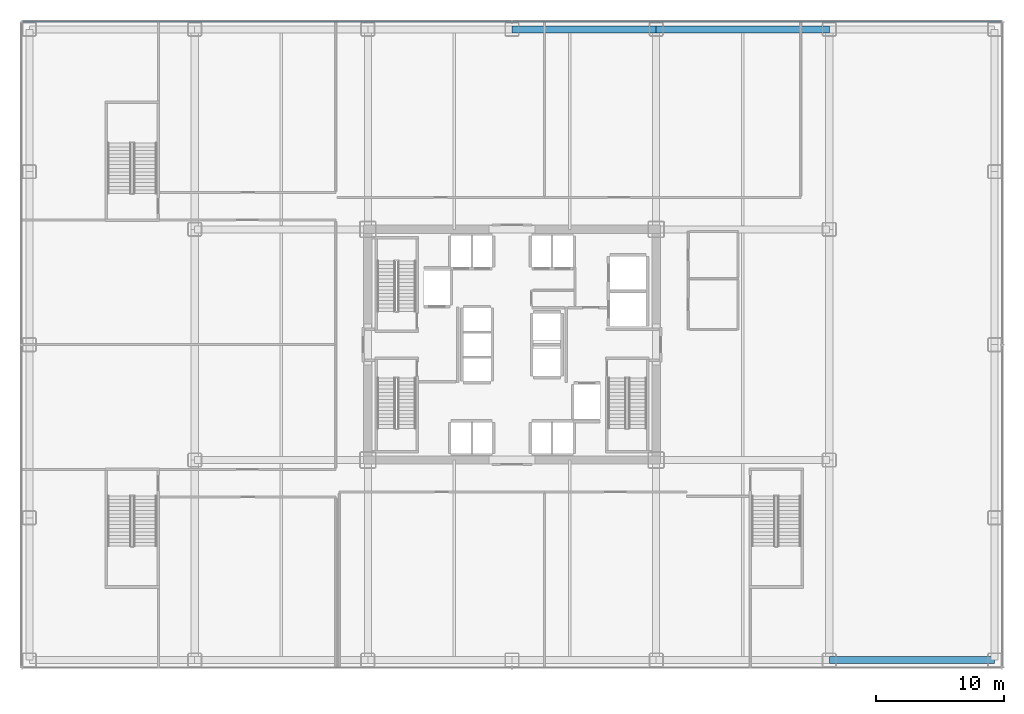
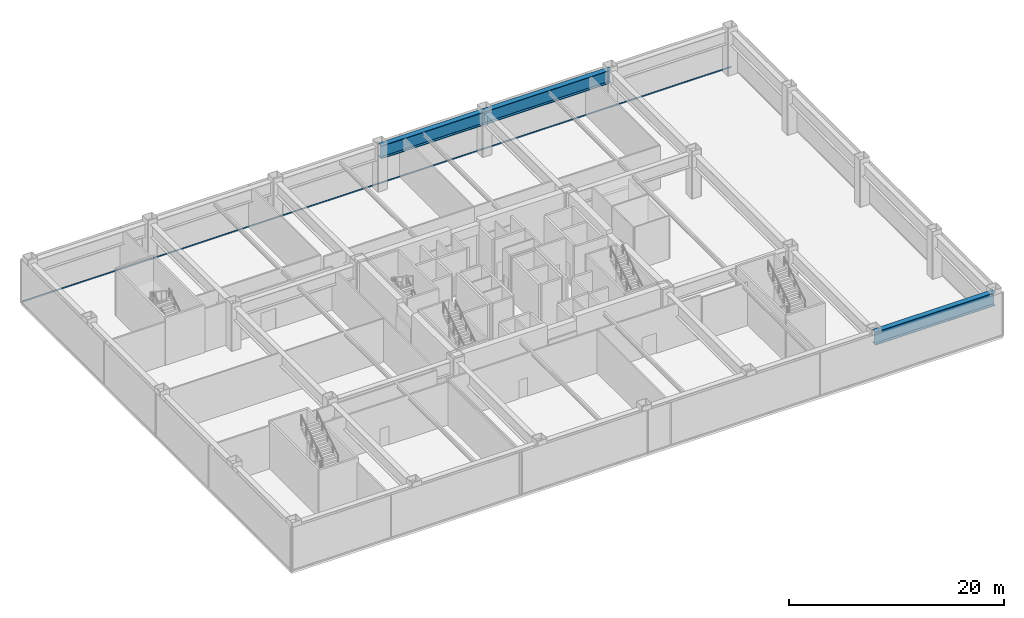
# One storey, part 11 of 24: 3 beams, 1 member, 1 element without a shape of its own.
"""IFC4 building model written with IfcOpenShell, lengths in metres."""

import ifcopenshell
import ifcopenshell.guid

model = None  # the IFC model being written
_history = None  # IfcOwnerHistory: only IFC2X3 demands one
_inside = {}  # id of a spatial element -> (the spatial element, [elements in it])
_under = {}  # id of a project, library or spatial element -> (it, [spatial elements below it])
_declared = {}  # id of a project -> (the project, [libraries it declares])
_typed = {}  # id of a type object -> (the type object, [elements of that type])
_made_of = {}  # id of a material, layer set ... -> (it, [elements and type objects made of it])


def new_model(schema):
    """Start an empty IFC model of exactly this schema.

    Asked for "IFC4X3", IfcOpenShell would pick the latest addendum, in which some entities
    have other attributes; the version numbers below select the first issue.
    IFC2X3 requires an IfcOwnerHistory on every rooted entity: one is made here for all.
    """
    global model, _history
    if schema == "IFC4X3":
        model = ifcopenshell.file(schema_version=(4, 3, 0, 0))
    else:
        model = ifcopenshell.file(schema=schema)
    _inside.clear()
    _under.clear()
    _declared.clear()
    _typed.clear()
    _made_of.clear()
    _history = None
    if model.schema == "IFC2X3":
        org = make("IfcOrganization", Name="unknown")
        user = make(
            "IfcPersonAndOrganization",
            ThePerson=make("IfcPerson", FamilyName="unknown"),
            TheOrganization=org,
        )
        app = make(
            "IfcApplication",
            ApplicationDeveloper=org,
            Version="unknown",
            ApplicationFullName="unknown",
            ApplicationIdentifier="unknown",
        )
        _history = make(
            "IfcOwnerHistory",
            OwningUser=user,
            OwningApplication=app,
            ChangeAction="ADDED",
            CreationDate=0,
        )
    return model


def make(cls, **values):
    """One entity of the class cls with the attributes given. An attribute that is None is left unset."""
    return model.create_entity(
        cls, **{name: value for name, value in values.items() if value is not None}
    )


def rooted(cls, **values):
    """An entity with a GlobalId (a new one), such as an element, a storey or a relation."""
    return make(cls, GlobalId=ifcopenshell.guid.new(), OwnerHistory=_history, **values)


def si_unit(unit_type, name, prefix=None):
    """IfcSIUnit, for example si_unit("LENGTHUNIT", "METRE", prefix="MILLI")."""
    return make("IfcSIUnit", UnitType=unit_type, Prefix=prefix, Name=name)


def assignment(units):
    """IfcUnitAssignment: the units of a project."""
    return None if units is None else make("IfcUnitAssignment", Units=units)


def point(xyz):
    """IfcCartesianPoint."""
    return None if xyz is None else make("IfcCartesianPoint", Coordinates=xyz)


def direction(xyz):
    """IfcDirection."""
    return None if xyz is None else make("IfcDirection", DirectionRatios=xyz)


def frame(location, z_axis=None, x_axis=None):
    """IfcAxis2Placement3D, a coordinate frame: its origin and axes. An axis left out is left unset."""
    return make(
        "IfcAxis2Placement3D",
        Location=point(location),
        Axis=direction(z_axis),
        RefDirection=direction(x_axis),
    )


def frame_2d(location, x_axis=None):
    """IfcAxis2Placement2D, a coordinate frame in the plane: its origin and x axis."""
    return make(
        "IfcAxis2Placement2D", Location=point(location), RefDirection=direction(x_axis)
    )


def origin():
    """The frame at (0, 0, 0) with its axes left unset."""
    return frame((0.0, 0.0, 0.0))


def origin_2d():
    """The frame at (0, 0) in the plane with its x axis left unset."""
    return frame_2d((0.0, 0.0))


def place(relative_to, where):
    """IfcLocalPlacement: puts the frame where relative to a parent placement (None: the world)."""
    return make(
        "IfcLocalPlacement", PlacementRelTo=relative_to, RelativePlacement=where
    )


def context(
    kind, dimensions, precision=None, world=None, true_north=None, identifier=None
):
    """IfcGeometricRepresentationContext, for example the 3D "Model" context."""
    return make(
        "IfcGeometricRepresentationContext",
        ContextIdentifier=identifier,
        ContextType=kind,
        CoordinateSpaceDimension=dimensions,
        Precision=precision,
        WorldCoordinateSystem=world,
        TrueNorth=true_north,
    )


def subcontext(parent, identifier, kind, view, scale=None):
    """IfcGeometricRepresentationSubContext, for example "Body" below "Model"."""
    return make(
        "IfcGeometricRepresentationSubContext",
        ContextIdentifier=identifier,
        ContextType=kind,
        ParentContext=parent,
        TargetScale=scale,
        TargetView=view,
    )


def project(units=None, contexts=None):
    """IfcProject with its units and contexts."""
    return rooted(
        "IfcProject",
        Name="project",
        RepresentationContexts=contexts,
        UnitsInContext=assignment(units),
    )


def spatial(cls, under=None, at=None, **own):
    """A site, building, storey or space (cls), placed at a placement, below another one or the project."""
    s = rooted(cls, ObjectPlacement=at, **own)
    if under is not None:
        _under.setdefault(under.id(), (under, []))[1].append(s)
    return s


def profile(cls, at=None, kind="AREA", **sizes):
    """A parametric profile (cls). Its sizes go by their IFC names, for example OverallWidth=200.0."""
    return make(cls, ProfileType=kind, Position=at, **sizes)


def hollow_rectangle(**sizes):
    """IfcRectangleHollowProfileDef."""
    return profile("IfcRectangleHollowProfileDef", **sizes)


def i_section(**sizes):
    """IfcIShapeProfileDef."""
    return profile("IfcIShapeProfileDef", **sizes)


def extrude(swept, where, along, depth):
    """IfcExtrudedAreaSolid: the profile swept, set in the frame where, extruded along a direction by depth."""
    return make(
        "IfcExtrudedAreaSolid",
        SweptArea=swept,
        Position=where,
        ExtrudedDirection=direction(along),
        Depth=depth,
    )


def shape(context_of_items, identifier, shape_type, items):
    """IfcShapeRepresentation: the items that make up one representation, for example the "Body"."""
    return make(
        "IfcShapeRepresentation",
        ContextOfItems=context_of_items,
        RepresentationIdentifier=identifier,
        RepresentationType=shape_type,
        Items=items,
    )


def source(mapping_origin, context_of_items, identifier, shape_type, items):
    """IfcRepresentationMap: a shape defined once, which mapped items show again and again."""
    return make(
        "IfcRepresentationMap",
        MappingOrigin=mapping_origin,
        MappedRepresentation=shape(context_of_items, identifier, shape_type, items),
    )


def transform(
    local_origin,
    x_axis=None,
    y_axis=None,
    z_axis=None,
    scale=None,
    scale2=None,
    scale3=None,
    uniform=True,
):
    """IfcCartesianTransformationOperator3D, or its non-uniform kind. x_axis, y_axis, z_axis: its Axis1, 2, 3."""
    if uniform:
        return make(
            "IfcCartesianTransformationOperator3D",
            Axis1=direction(x_axis),
            Axis2=direction(y_axis),
            LocalOrigin=point(local_origin),
            Scale=scale,
            Axis3=direction(z_axis),
        )
    return make(
        "IfcCartesianTransformationOperator3DnonUniform",
        Axis1=direction(x_axis),
        Axis2=direction(y_axis),
        LocalOrigin=point(local_origin),
        Scale=scale,
        Axis3=direction(z_axis),
        Scale2=scale2,
        Scale3=scale3,
    )


def mapped(mapping_source, mapping_target):
    """IfcMappedItem: shows the shape of a source again, moved by a transform."""
    return make(
        "IfcMappedItem", MappingSource=mapping_source, MappingTarget=mapping_target
    )


def material(Name=None, Category=None):
    """IfcMaterial."""
    return make("IfcMaterial", Name=Name, Category=Category)


def layer(
    of_material, thickness, ventilated=None, Name=None, Category=None, Priority=None
):
    """IfcMaterialLayer: one layer of a wall or slab, of a material (None: an air gap)."""
    return make(
        "IfcMaterialLayer",
        Material=of_material,
        LayerThickness=thickness,
        IsVentilated=ventilated,
        Name=Name,
        Category=Category,
        Priority=Priority,
    )


def layer_set(layers, Name=None):
    """IfcMaterialLayerSet."""
    return make("IfcMaterialLayerSet", MaterialLayers=layers, LayerSetName=Name)


def material_profile(
    of_material, cross_section, Name=None, Category=None, Priority=None
):
    """IfcMaterialProfile: a cross section and its material."""
    return make(
        "IfcMaterialProfile",
        Name=Name,
        Material=of_material,
        Profile=cross_section,
        Priority=Priority,
        Category=Category,
    )


def profile_set(profiles, Name=None, composite=None):
    """IfcMaterialProfileSet."""
    return make(
        "IfcMaterialProfileSet",
        Name=Name,
        MaterialProfiles=profiles,
        CompositeProfile=composite,
    )


def made_of(thing, what):
    """Note that an element or type object is made of a material, layer set ...; save() writes the relation."""
    if what is not None:
        _made_of.setdefault(what.id(), (what, []))[1].append(thing)
    return thing


def type_object(cls, material=None, **own):
    """A type object (cls), such as IfcWallType, which elements share."""
    return made_of(rooted(cls, **own), material)


def element(
    cls,
    number,
    at=None,
    inside=None,
    cuts=None,
    type_object=None,
    material=None,
    context=None,
    identifier="Body",
    shape_type=None,
    held_by="IfcProductDefinitionShape",
    body=None,
    shapes=None,
    **own,
):
    """One element of the class cls, such as IfcWall. Its Tag is "e" and its number.

    at: its placement. inside: the storey or other place that contains it. cuts: it is an
    opening in that element (IfcRelVoidsElement). A single representation is given by context,
    identifier, shape_type and body (its items); several are given by shapes. held_by: the class
    of the entity that holds the representations. save() writes the other relations.
    """
    e = rooted(cls, Tag="e%d" % number, ObjectPlacement=at, **own)
    if body is not None:
        shapes = [shape(context, identifier, shape_type, body)]
    if shapes is not None:
        e.Representation = make(held_by, Representations=shapes)
    if inside is not None:
        _inside.setdefault(inside.id(), (inside, []))[1].append(e)
    if cuts is not None:
        rooted(
            "IfcRelVoidsElement", RelatingBuildingElement=cuts, RelatedOpeningElement=e
        )
    if type_object is not None:
        _typed.setdefault(type_object.id(), (type_object, []))[1].append(e)
    return made_of(e, material)


def aggregate(whole, parts):
    """IfcRelAggregates: a whole, such as a stair, and the parts it consists of."""
    return rooted("IfcRelAggregates", RelatingObject=whole, RelatedObjects=parts)


def save(model, path):
    """Write the relations noted so far, then the file.

    IfcRelAggregates (storeys below a building ...), IfcRelContainedInSpatialStructure (elements
    in a storey), IfcRelDefinesByType, IfcRelAssociatesMaterial and IfcRelDeclares: one each for
    every whole, place, type object, material and project.
    """
    for whole, parts in _under.values():
        aggregate(whole, parts)
    for where, things in _inside.values():
        rooted(
            "IfcRelContainedInSpatialStructure",
            RelatedElements=things,
            RelatingStructure=where,
        )
    for kind, things in _typed.values():
        rooted("IfcRelDefinesByType", RelatedObjects=things, RelatingType=kind)
    for what, things in _made_of.values():
        rooted("IfcRelAssociatesMaterial", RelatedObjects=things, RelatingMaterial=what)
    for by, libraries in _declared.values():
        rooted("IfcRelDeclares", RelatingContext=by, RelatedDefinitions=libraries)
    model.write(path)


model = new_model("IFC4")

# Units and contexts
model_context = context("Model", 3, precision=1e-05, world=origin(), true_north=direction((0.0, 1.0)))
body_context = subcontext(model_context, "Body", "Model", "MODEL_VIEW")
ifc_project = project(units=[si_unit("LENGTHUNIT", "METRE"), si_unit("AREAUNIT", "SQUARE_METRE"), si_unit("VOLUMEUNIT", "CUBIC_METRE"), si_unit("PLANEANGLEUNIT", "RADIAN"), si_unit("MASSUNIT", "GRAM", prefix="KILO")], contexts=[model_context])

# Site, building, storey
site_placement = place(None, origin())
site = spatial("IfcSite", under=ifc_project, at=site_placement, CompositionType="ELEMENT")
building_placement = place(site_placement, origin())
building = spatial("IfcBuilding", under=site, at=building_placement, Name="Nefas-Gora Pilgrimage Tower", CompositionType="ELEMENT")
storey_placement = place(building_placement, frame((0.0, 0.0, 22.199951171875)))
storey = spatial("IfcBuildingStorey", under=building, at=storey_placement, Name="L04", CompositionType="ELEMENT", Elevation=22.199951171875)

# Beams
ifc_material_1 = material(Name="Steel S460", Category="steel")
ifc_material_profile_1 = material_profile(ifc_material_1, i_section(OverallWidth=0.550048828125, OverallDepth=1.5, WebThickness=0.031982421875, FlangeThickness=0.06005859375, FilletRadius=0.02392578125, at=origin_2d()), Name="WPG 1500x550x32x60")
ifc_profile_set_1 = profile_set([ifc_material_profile_1], Name="Steel S460")
beam_type = type_object("IfcBeamType", Name="BM-TR-1500E", PredefinedType="BEAM", material=ifc_profile_set_1)
shared_shape_1 = source(origin(), body_context, "Body", "SweptSolid", [
    extrude(i_section(OverallWidth=0.550048828125, OverallDepth=1.5, WebThickness=0.031982421875, FlangeThickness=0.06005859375, FilletRadius=0.02392578125, at=origin_2d()), origin(), (0.0, 0.0, 1.0), 12.89990234375),
])
beam_1_placement = place(storey_placement, frame((24.75, -24.60009765625, 4.170166015625), z_axis=(1.0, 0.0, 0.0), x_axis=(0.0, 1.0, 0.0)))
element("IfcBeam", 1, at=beam_1_placement, inside=storey, type_object=beam_type, Name="L04 TB-01E beam", PredefinedType="BEAM", context=body_context, shape_type="MappedRepresentation", body=[
    mapped(shared_shape_1, transform((0.0, 0.0, 0.0), x_axis=(1.0, 0.0, 0.0), y_axis=(0.0, 1.0, 0.0), z_axis=(0.0, 0.0, 1.0), scale=1.0)),
])
shared_shape_2 = source(origin(), body_context, "Body", "SweptSolid", [
    extrude(i_section(OverallWidth=0.550048828125, OverallDepth=1.5, WebThickness=0.031982421875, FlangeThickness=0.06005859375, FilletRadius=0.02392578125, at=origin_2d()), origin(), (0.0, 0.0, 1.0), 13.5),
])
beam_2_placement = place(storey_placement, frame((11.25, 24.60009765625, 4.170166015625), z_axis=(1.0, 0.0, 0.0), x_axis=(0.0, 1.0, 0.0)))
element("IfcBeam", 2, at=beam_2_placement, inside=storey, type_object=beam_type, Name="L04 TB-01E beam", PredefinedType="BEAM", context=body_context, shape_type="MappedRepresentation", body=[
    mapped(shared_shape_2, transform((0.0, 0.0, 0.0), x_axis=(1.0, 0.0, 0.0), y_axis=(0.0, 1.0, 0.0), z_axis=(0.0, 0.0, 1.0), scale=1.0)),
])
shared_shape_3 = source(origin(), body_context, "Body", "SweptSolid", [
    extrude(i_section(OverallWidth=0.550048828125, OverallDepth=1.5, WebThickness=0.031982421875, FlangeThickness=0.06005859375, FilletRadius=0.02392578125, at=origin_2d()), origin(), (0.0, 0.0, 1.0), 11.25),
])
beam_3_placement = place(storey_placement, frame((0.0, 24.60009765625, 4.170166015625), z_axis=(1.0, 0.0, 0.0), x_axis=(0.0, 1.0, 0.0)))
element("IfcBeam", 3, at=beam_3_placement, inside=storey, type_object=beam_type, Name="L04 TB-01E beam", PredefinedType="BEAM", context=body_context, shape_type="MappedRepresentation", body=[
    mapped(shared_shape_3, transform((0.0, 0.0, 0.0), x_axis=(1.0, 0.0, 0.0), y_axis=(0.0, 1.0, 0.0), z_axis=(0.0, 0.0, 1.0), scale=1.0)),
])

# Curtain wall, member
ifc_material_2 = material(Name="Dark ceramic-fritted solar-control aluminium-glass curtain wall", Category="aluminium")
ifc_layer = layer(ifc_material_2, 0.219970703125)
ifc_layer_set = layer_set([ifc_layer], Name="Dark ceramic-fritted solar-control aluminium-glass curtain wall")
curtain_wall_type = type_object("IfcCurtainWallType", Name="CW-SYS-1", PredefinedType="NOTDEFINED", material=ifc_layer_set)
curtain_wall_placement = place(storey_placement, origin())
curtain_wall = element("IfcCurtainWall", 4, at=curtain_wall_placement, inside=storey, type_object=curtain_wall_type, Name="L04 Unitised Curtain Wall CW1", PredefinedType="NOTDEFINED")
ifc_material_3 = material(Name="Anodised architectural aluminium", Category="aluminium")
ifc_material_profile_2 = material_profile(ifc_material_3, hollow_rectangle(XDim=0.080078125, YDim=0.159912109375, WallThickness=0.00439453125, InnerFilletRadius=0.00439453125, OuterFilletRadius=0.009033203125, at=origin_2d()), Name="ALU TRANSOM 80x160")
ifc_profile_set_2 = profile_set([ifc_material_profile_2], Name="Anodised architectural aluminium")
member_type = type_object("IfcMemberType", Name="CWM-TRN-1", PredefinedType="USERDEFINED", material=ifc_profile_set_2)
shared_shape_4 = source(origin(), body_context, "Body", "SweptSolid", [
    extrude(hollow_rectangle(XDim=0.080078125, YDim=0.159912109375, WallThickness=0.00439453125, InnerFilletRadius=0.00439453125, OuterFilletRadius=0.009033203125, at=origin_2d()), origin(), (0.0, 0.0, 1.0), 76.31982421875),
])
member_placement = place(storey_placement, frame((38.159912109375, 25.199951171875, 0.050048828125), z_axis=(-1.0, 0.0, 0.0), x_axis=(0.0, -1.0, 0.0)))
member = element("IfcMember", 5, at=member_placement, type_object=member_type, Name="CW1 Spandrel Transom", ObjectType="TRANSOM", PredefinedType="USERDEFINED", context=body_context, shape_type="MappedRepresentation", body=[
    mapped(shared_shape_4, transform((0.0, 0.0, 0.0), x_axis=(1.0, 0.0, 0.0), y_axis=(0.0, 1.0, 0.0), z_axis=(0.0, 0.0, 1.0), scale=1.0)),
])
aggregate(curtain_wall, [member])

save(model, "model.ifc")
